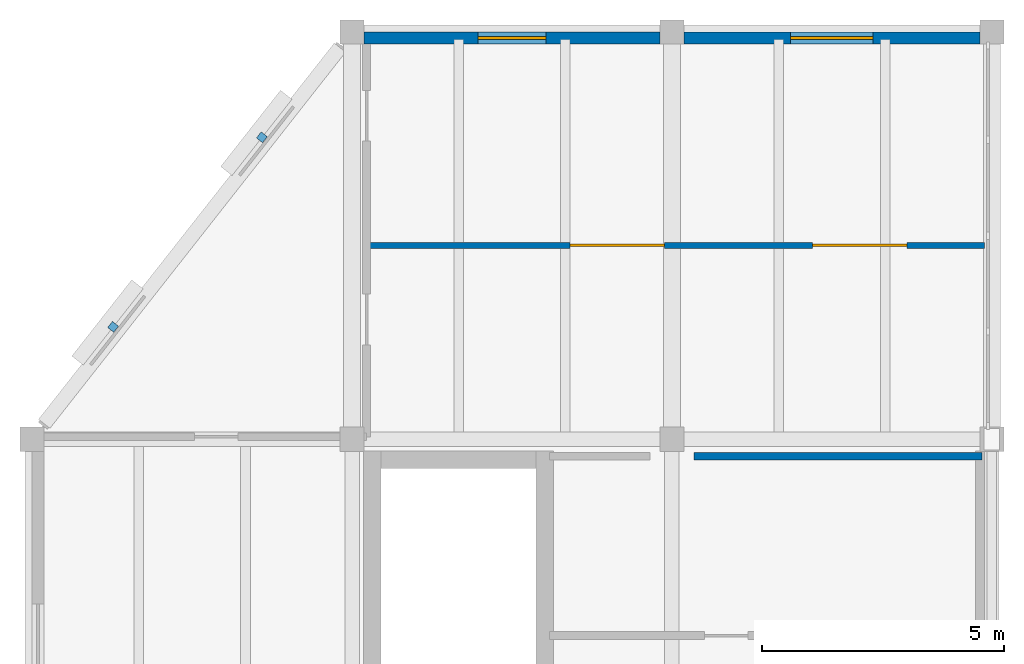
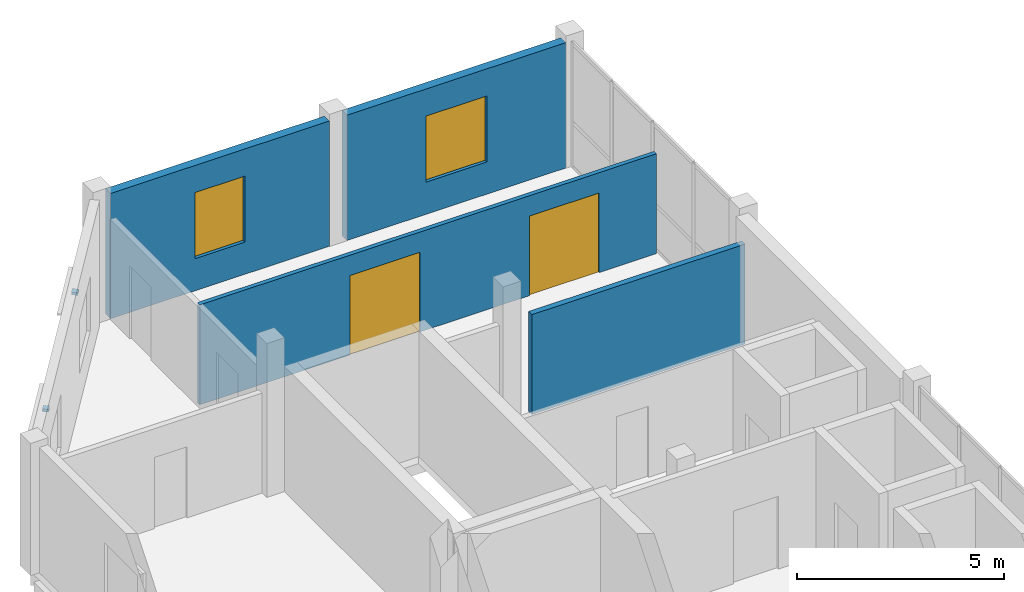
# One storey, part 6 of 7: 4 walls, 2 discrete accessories, 2 doors, 2 windows, 4 openings.
"""IFC4 building model written with IfcOpenShell, lengths in metres."""

from ifc_helpers import new_model, si_unit, direction, frame, frame_2d, origin, origin_2d, place, context, subcontext, project, spatial, rectangle, extrude, material, layer, layer_set, type_object, element, fill, save


model = new_model("IFC4")

# Units and contexts
model_context = context("Model", 3, precision=1e-05, world=origin(), true_north=direction((0.0, 1.0)))
body_context = subcontext(model_context, "Body", "Model", "MODEL_VIEW")
ifc_project = project(units=[si_unit("LENGTHUNIT", "METRE"), si_unit("AREAUNIT", "SQUARE_METRE"), si_unit("VOLUMEUNIT", "CUBIC_METRE"), si_unit("PLANEANGLEUNIT", "RADIAN"), si_unit("MASSUNIT", "GRAM", prefix="KILO")], contexts=[model_context])

# Site, building, storey
site_placement = place(None, origin())
site = spatial("IfcSite", under=ifc_project, at=site_placement, CompositionType="ELEMENT")
building_placement = place(site_placement, origin())
building = spatial("IfcBuilding", under=site, at=building_placement, Name="Qaldarim Faculty of Natural and Applied Sciences", CompositionType="ELEMENT")
storey_placement = place(building_placement, frame((0.0, 0.0, 47.10009765625)))
storey = spatial("IfcBuildingStorey", under=building, at=storey_placement, Name="L11", CompositionType="ELEMENT", Elevation=47.10009765625)

# Wall, openings, doors
ifc_material_1 = material(Name="Painted gypsum partition board")
ifc_layer_1 = layer(ifc_material_1, 0.1201171875)
ifc_layer_set_1 = layer_set([ifc_layer_1], Name="Painted gypsum partition board")
wall_type_1 = type_object("IfcWallType", Name="AcousticPartition-120", PredefinedType="PARTITIONING", material=ifc_layer_set_1)
wall_1_placement = place(storey_placement, frame((165.300048828125, 37.60009765625, 0.0), z_axis=(0.0, 0.0, 1.0), x_axis=(1.0, 0.0, 0.0)))
wall_1 = element("IfcWall", 1, at=wall_1_placement, inside=storey, type_object=wall_type_1, Name="Interior partition PRT-L11-V5-USUB-1", PredefinedType="PARTITIONING", context=body_context, shape_type="SweptSolid", body=[
    extrude(rectangle(XDim=12.75, YDim=0.1201171875, at=frame_2d((6.375, 0.0))), origin(), (0.0, 0.0, 1.0), 2.949951171875),
])
opening_1_placement = place(wall_1_placement, frame((4.199951171875, 0.0, 0.0)))
opening_1 = element("IfcOpeningElement", 2, at=opening_1_placement, cuts=wall_1, Name="Opening ID13", PredefinedType="OPENING", context=body_context, shape_type="SweptSolid", body=[
    extrude(rectangle(XDim=1.949951171875, YDim=2.35009765625, at=frame_2d((0.97509765625, 1.175048828125))), frame((0.0, 0.070068359375, 0.0), z_axis=(0.0, -1.0, 0.0), x_axis=(1.0, 0.0, 0.0)), (0.0, 0.0, 1.0), 0.14013671875),
])
opening_2_placement = place(wall_1_placement, frame((9.199951171875, 0.0, 0.0)))
opening_2 = element("IfcOpeningElement", 3, at=opening_2_placement, cuts=wall_1, Name="Opening ID13", PredefinedType="OPENING", context=body_context, shape_type="SweptSolid", body=[
    extrude(rectangle(XDim=1.949951171875, YDim=2.35009765625, at=frame_2d((0.97509765625, 1.175048828125))), frame((0.0, 0.070068359375, 0.0), z_axis=(0.0, -1.0, 0.0), x_axis=(1.0, 0.0, 0.0)), (0.0, 0.0, 1.0), 0.14013671875),
])
ifc_material_2 = material(Name="Oak hardwood", Category="wood")
door_type = type_object("IfcDoorType", Name="SymposiumDoubleDoor-1950x2350", OperationType="NOTDEFINED", PredefinedType="DOOR", material=ifc_material_2)
door_1_placement = place(opening_1_placement, origin())
door_1 = element("IfcDoor", 4, at=door_1_placement, inside=storey, type_object=door_type, Name="Interior door D-L11-364", OperationType="SINGLE_SWING_LEFT", OverallHeight=2.35009765625, OverallWidth=1.949951171875, PredefinedType="DOOR", context=body_context, shape_type="SweptSolid", body=[
    extrude(rectangle(XDim=1.949951171875, YDim=2.35009765625, at=frame_2d((0.97509765625, 1.175048828125))), frame((0.0, 0.02490234375, 0.0), z_axis=(0.0, -1.0, 0.0), x_axis=(1.0, 0.0, 0.0)), (0.0, 0.0, 1.0), 0.050048828125),
])
fill(opening_1, door_1)
door_2_placement = place(opening_2_placement, origin())
door_2 = element("IfcDoor", 5, at=door_2_placement, inside=storey, type_object=door_type, Name="Interior door D-L11-365", OperationType="SINGLE_SWING_RIGHT", OverallHeight=2.35009765625, OverallWidth=1.949951171875, PredefinedType="DOOR", context=body_context, shape_type="SweptSolid", body=[
    extrude(rectangle(XDim=1.949951171875, YDim=2.35009765625, at=frame_2d((0.97509765625, 1.175048828125))), frame((0.0, 0.02490234375, 0.0), z_axis=(0.0, -1.0, 0.0), x_axis=(1.0, 0.0, 0.0)), (0.0, 0.0, 1.0), 0.050048828125),
])
fill(opening_2, door_2)

# Wall, opening, window
ifc_material_3 = material(Name="Precast concrete C40/50", Category="concrete")
ifc_layer_2 = layer(ifc_material_3, 0.239990234375)
ifc_layer_set_2 = layer_set([ifc_layer_2], Name="Precast concrete C40/50")
wall_type_2 = type_object("IfcWallType", Name="ExteriorInsulatedWall-240", PredefinedType="SOLIDWALL", material=ifc_layer_set_2)
wall_2_placement = place(storey_placement, frame((171.35498046875, 41.8798828125, 0.0), z_axis=(0.0, 0.0, 1.0), x_axis=(-1.0, 0.0, 0.0)))
wall_2 = element("IfcWall", 6, at=wall_2_placement, inside=storey, type_object=wall_type_2, Name="Exterior wall EW03 L11 N X26Y05", PredefinedType="SOLIDWALL", context=body_context, shape_type="SweptSolid", body=[
    extrude(rectangle(XDim=6.10986328125, YDim=0.239990234375, at=frame_2d((3.054931640625, 0.0))), origin(), (0.0, 0.0, 1.0), 3.699951171875),
])
opening_3_placement = place(wall_2_placement, frame((2.35498046875, 0.0, 0.949951171875)))
opening_3 = element("IfcOpeningElement", 7, at=opening_3_placement, cuts=wall_2, Name="Opening WN25", PredefinedType="OPENING", context=body_context, shape_type="SweptSolid", body=[
    extrude(rectangle(XDim=1.39990234375, YDim=1.949951171875, at=frame_2d((0.699951171875, 0.97509765625))), frame((0.0, 0.1298828125, 0.0), z_axis=(0.0, -1.0, 0.0), x_axis=(1.0, 0.0, 0.0)), (0.0, 0.0, 1.0), 0.260009765625),
])
ifc_material_4 = material(Name="Insulated low-e double glazing", Category="glass")
window_type_1 = type_object("IfcWindowType", Name="GalleryWindow-1400x1950", PartitioningType="DOUBLE_PANEL_VERTICAL", PredefinedType="WINDOW", material=ifc_material_4)
window_1_placement = place(opening_3_placement, origin())
window_1 = element("IfcWindow", 8, at=window_1_placement, inside=storey, type_object=window_type_1, Name="Facade window WN25 L11 N X26Y05", OverallHeight=1.949951171875, OverallWidth=1.39990234375, PartitioningType="SINGLE_PANEL", PredefinedType="WINDOW", context=body_context, shape_type="SweptSolid", body=[
    extrude(rectangle(XDim=1.39990234375, YDim=1.949951171875, at=frame_2d((0.699951171875, 0.97509765625))), frame((0.0, 0.030029296875, 0.0), z_axis=(0.0, -1.0, 0.0), x_axis=(1.0, 0.0, 0.0)), (0.0, 0.0, 1.0), 0.06005859375),
])
fill(opening_3, window_1)

wall_3_placement = place(storey_placement, frame((177.955078125, 41.8798828125, 0.0), z_axis=(0.0, 0.0, 1.0), x_axis=(-1.0, 0.0, 0.0)))
wall_3 = element("IfcWall", 9, at=wall_3_placement, inside=storey, type_object=wall_type_2, Name="Exterior wall EW03 L11 N X27Y05", PredefinedType="SOLIDWALL", context=body_context, shape_type="SweptSolid", body=[
    extrude(rectangle(XDim=6.110107421875, YDim=0.239990234375, at=frame_2d((3.05517578125, 0.0))), origin(), (0.0, 0.0, 1.0), 3.699951171875),
])
opening_4_placement = place(wall_3_placement, frame((2.205078125, 0.0, 0.949951171875)))
opening_4 = element("IfcOpeningElement", 10, at=opening_4_placement, cuts=wall_3, Name="Opening WN26", PredefinedType="OPENING", context=body_context, shape_type="SweptSolid", body=[
    extrude(rectangle(XDim=1.699951171875, YDim=1.949951171875, at=frame_2d((0.85009765625, 0.97509765625))), frame((0.0, 0.1298828125, 0.0), z_axis=(0.0, -1.0, 0.0), x_axis=(1.0, 0.0, 0.0)), (0.0, 0.0, 1.0), 0.260009765625),
])
window_type_2 = type_object("IfcWindowType", Name="GalleryWindow-1700x1950", PartitioningType="DOUBLE_PANEL_VERTICAL", PredefinedType="WINDOW", material=ifc_material_4)
window_2_placement = place(opening_4_placement, origin())
window_2 = element("IfcWindow", 11, at=window_2_placement, inside=storey, type_object=window_type_2, Name="Facade window WN26 L11 N X27Y05", OverallHeight=1.949951171875, OverallWidth=1.699951171875, PartitioningType="SINGLE_PANEL", PredefinedType="WINDOW", context=body_context, shape_type="SweptSolid", body=[
    extrude(rectangle(XDim=1.699951171875, YDim=1.949951171875, at=frame_2d((0.85009765625, 0.97509765625))), frame((0.0, 0.030029296875, 0.0), z_axis=(0.0, -1.0, 0.0), x_axis=(1.0, 0.0, 0.0)), (0.0, 0.0, 1.0), 0.06005859375),
])
fill(opening_4, window_2)

# Wall
ifc_material_5 = material(Name="Concrete C40/50", Category="concrete")
ifc_layer_3 = layer(ifc_material_5, 0.159912109375)
ifc_layer_set_3 = layer_set([ifc_layer_3], Name="Concrete C40/50")
wall_type_3 = type_object("IfcWallType", Name="FireCorridorWall-160", PredefinedType="PARTITIONING", material=ifc_layer_set_3)
wall_4_placement = place(storey_placement, frame((172.050048828125, 33.25, 0.0), z_axis=(0.0, 0.0, 1.0), x_axis=(1.0, 0.0, 0.0)))
element("IfcWall", 12, at=wall_4_placement, inside=storey, type_object=wall_type_3, Name="Interior partition PRT-L11-V5-NEN-S2", PredefinedType="PARTITIONING", context=body_context, shape_type="SweptSolid", body=[
    extrude(rectangle(XDim=5.949951171875, YDim=0.159912109375, at=frame_2d((2.97509765625, 0.0))), origin(), (0.0, 0.0, 1.0), 2.949951171875),
])

# Discrete accessories
ifc_material_6 = material(Name="Architectural stainless steel 316", Category="steel")
ifc_layer_4 = layer(ifc_material_6, 0.080078125)
ifc_layer_set_4 = layer_set([ifc_layer_4], Name="Architectural stainless steel 316")
discrete_accessory_type = type_object("IfcDiscreteAccessoryType", Name="FacadeBracket-SS120", PredefinedType="BRACKET", material=ifc_layer_set_4)
for number, where, z_axis, x_axis, name in (
    (13, (160.070068359375, 35.919921875, 2.659912109375), (0.0, 0.0, 1.0), (0.617818442277, 0.786320782112, 0.0), "Oblique solar louvre bracket SHD-OBL-NW-L11-1"),
    (14, (163.139892578125, 39.830078125, 2.659912109375), (0.0, 0.0, 1.0), (0.617818442277, 0.786320782112, 0.0), "Oblique solar louvre bracket SHD-OBL-NW-L11-2"),
):
    element("IfcDiscreteAccessory", number, at=place(storey_placement, frame(where, z_axis=z_axis, x_axis=x_axis)), inside=storey, type_object=discrete_accessory_type, Name=name, PredefinedType="BRACKET", context=body_context, shape_type="SweptSolid", body=[
        extrude(rectangle(XDim=0.159912109375, YDim=0.159912109375, at=origin_2d()), origin(), (0.0, 0.0, 1.0), 0.080078125),
    ])

save(model, "model.ifc")
